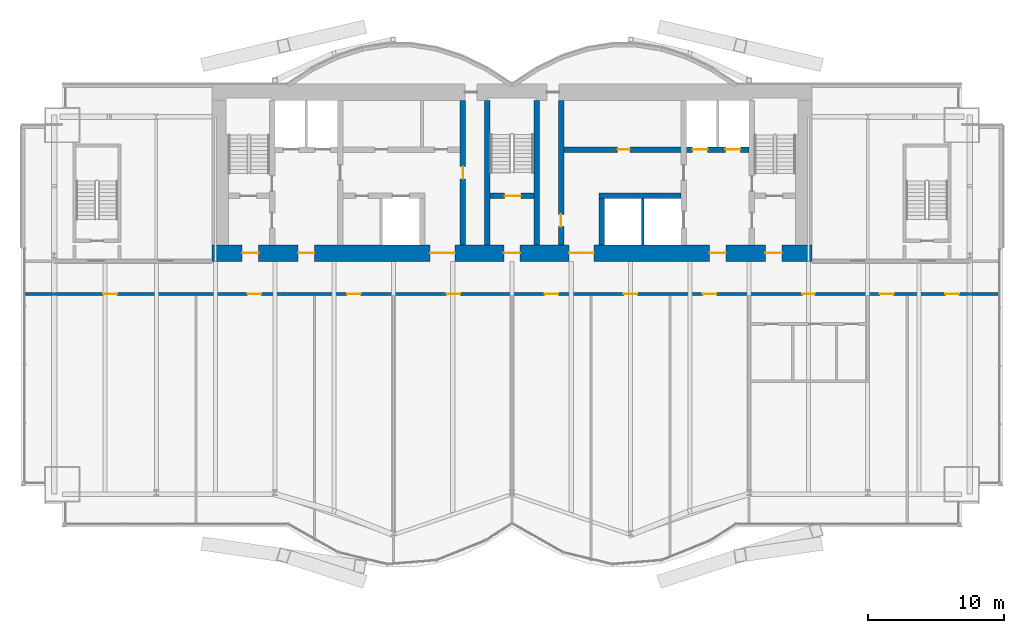
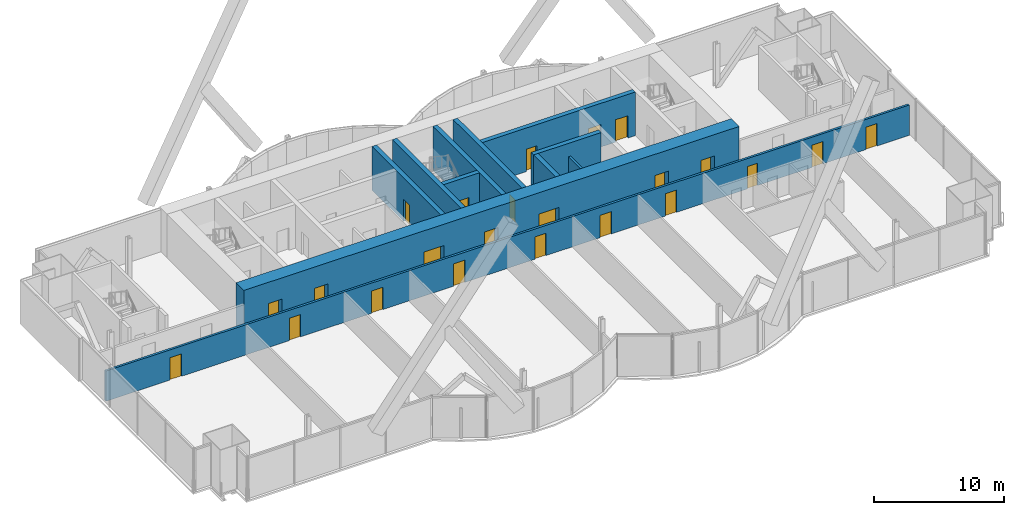
# One storey, part 17 of 22: 23 doors, 11 walls, 23 openings.
"""IFC4 building model written with IfcOpenShell, lengths in metres."""

from ifc_helpers import new_model, si_unit, direction, frame, frame_2d, origin, place, context, subcontext, project, spatial, rectangle, extrude, material, layer, layer_set, type_object, element, fill, save


model = new_model("IFC4")

# Units and contexts
model_context = context("Model", 3, precision=1e-05, world=origin(), true_north=direction((0.0, 1.0)))
body_context = subcontext(model_context, "Body", "Model", "MODEL_VIEW")
ifc_project = project(units=[si_unit("LENGTHUNIT", "METRE"), si_unit("AREAUNIT", "SQUARE_METRE"), si_unit("VOLUMEUNIT", "CUBIC_METRE"), si_unit("PLANEANGLEUNIT", "RADIAN"), si_unit("MASSUNIT", "GRAM", prefix="KILO")], contexts=[model_context])

# Site, building, storey
site_placement = place(None, origin())
site = spatial("IfcSite", under=ifc_project, at=site_placement, CompositionType="ELEMENT")
building_placement = place(site_placement, origin())
building = spatial("IfcBuilding", under=site, at=building_placement, Name="Bicima Exchange Tower", CompositionType="ELEMENT")
storey_placement = place(building_placement, frame((0.0, 0.0, 203.199951171875)))
storey = spatial("IfcBuildingStorey", under=building, at=storey_placement, Name="L45", CompositionType="ELEMENT", Elevation=203.199951171875)

# Wall
ifc_material_1 = material(Name="Gypsum board partition")
ifc_layer_1 = layer(ifc_material_1, 0.199951171875)
ifc_layer_set_1 = layer_set([ifc_layer_1], Name="Gypsum board partition")
wall_type_1 = type_object("IfcWallType", Name="Fire-rated gypsum partition 200 EI120", PredefinedType="PARTITIONING", material=ifc_layer_set_1)
wall_1_placement = place(storey_placement, frame((9.60009765625, -11.800048828125, 0.0), z_axis=(0.0, 0.0, 1.0), x_axis=(0.0, 1.0, 0.0)))
element("IfcWall", 1, at=wall_1_placement, inside=storey, type_object=wall_type_1, Name="partition wall 19", PredefinedType="PARTITIONING", context=body_context, shape_type="SweptSolid", body=[
    extrude(rectangle(XDim=3.400146484375, YDim=0.199951171875, at=frame_2d((1.7001953125, 0.0))), origin(), (0.0, 0.0, 1.0), 2.84033203125),
])

# Wall, openings, doors
ifc_layer_2 = layer(ifc_material_1, 0.199951171875)
ifc_layer_set_2 = layer_set([ifc_layer_2], Name="Gypsum board partition")
wall_type_2 = type_object("IfcWallType", Name="Fire-rated gypsum partition 200 EI60", PredefinedType="PARTITIONING", material=ifc_layer_set_2)
wall_2_placement = place(storey_placement, frame((-35.679931640625, -15.39990234375, 0.0), z_axis=(0.0, 0.0, 1.0), x_axis=(1.0, 0.0, 0.0)))
wall_2 = element("IfcWall", 2, at=wall_2_placement, inside=storey, type_object=wall_type_2, Name="partition wall 3", PredefinedType="PARTITIONING", context=body_context, shape_type="SweptSolid", body=[
    extrude(rectangle(XDim=71.35986328125, YDim=0.199951171875, at=frame_2d((35.679931640625, 0.0))), origin(), (0.0, 0.0, 1.0), 2.84033203125),
])
opening_1_placement = place(wall_2_placement, frame((5.699951171875, 0.0, 0.0)))
opening_1 = element("IfcOpeningElement", 3, at=opening_1_placement, cuts=wall_2, Name="Opening L45-007", PredefinedType="OPENING", context=body_context, shape_type="SweptSolid", body=[
    extrude(rectangle(XDim=1.0, YDim=2.10009765625, at=frame_2d((0.5, 1.050048828125))), frame((0.0, 0.11181640625, 0.0), z_axis=(0.0, -1.0, 0.0), x_axis=(1.0, 0.0, 0.0)), (0.0, 0.0, 1.0), 0.223876953125),
])
opening_2_placement = place(wall_2_placement, frame((16.280029296875, 0.0, 0.0)))
opening_2 = element("IfcOpeningElement", 4, at=opening_2_placement, cuts=wall_2, Name="Opening L45-008", PredefinedType="OPENING", context=body_context, shape_type="SweptSolid", body=[
    extrude(rectangle(XDim=1.0, YDim=2.10009765625, at=frame_2d((0.5, 1.050048828125))), frame((0.0, 0.11181640625, 0.0), z_axis=(0.0, -1.0, 0.0), x_axis=(1.0, 0.0, 0.0)), (0.0, 0.0, 1.0), 0.223876953125),
])
opening_3_placement = place(wall_2_placement, frame((23.580078125, 0.0, 0.0)))
opening_3 = element("IfcOpeningElement", 5, at=opening_3_placement, cuts=wall_2, Name="Opening L45-009", PredefinedType="OPENING", context=body_context, shape_type="SweptSolid", body=[
    extrude(rectangle(XDim=1.0, YDim=2.10009765625, at=frame_2d((0.5, 1.050048828125))), frame((0.0, 0.11181640625, 0.0), z_axis=(0.0, -1.0, 0.0), x_axis=(1.0, 0.0, 0.0)), (0.0, 0.0, 1.0), 0.223876953125),
])
opening_4_placement = place(wall_2_placement, frame((30.8798828125, 0.0, 0.0)))
opening_4 = element("IfcOpeningElement", 6, at=opening_4_placement, cuts=wall_2, Name="Opening L45-010", PredefinedType="OPENING", context=body_context, shape_type="SweptSolid", body=[
    extrude(rectangle(XDim=1.0, YDim=2.10009765625, at=frame_2d((0.5, 1.050048828125))), frame((0.0, 0.11181640625, 0.0), z_axis=(0.0, -1.0, 0.0), x_axis=(1.0, 0.0, 0.0)), (0.0, 0.0, 1.0), 0.223876953125),
])
opening_5_placement = place(wall_2_placement, frame((38.080078125, 0.0, 0.0)))
opening_5 = element("IfcOpeningElement", 7, at=opening_5_placement, cuts=wall_2, Name="Opening L45-011", PredefinedType="OPENING", context=body_context, shape_type="SweptSolid", body=[
    extrude(rectangle(XDim=1.0, YDim=2.10009765625, at=frame_2d((0.5, 1.050048828125))), frame((0.0, 0.11181640625, 0.0), z_axis=(0.0, -1.0, 0.0), x_axis=(1.0, 0.0, 0.0)), (0.0, 0.0, 1.0), 0.223876953125),
])
opening_6_placement = place(wall_2_placement, frame((43.8798828125, 0.0, 0.0)))
opening_6 = element("IfcOpeningElement", 8, at=opening_6_placement, cuts=wall_2, Name="Opening L45-012", PredefinedType="OPENING", context=body_context, shape_type="SweptSolid", body=[
    extrude(rectangle(XDim=1.0, YDim=2.10009765625, at=frame_2d((0.5, 1.050048828125))), frame((0.0, 0.11181640625, 0.0), z_axis=(0.0, -1.0, 0.0), x_axis=(1.0, 0.0, 0.0)), (0.0, 0.0, 1.0), 0.223876953125),
])
opening_7_placement = place(wall_2_placement, frame((49.679931640625, 0.0, 0.0)))
opening_7 = element("IfcOpeningElement", 9, at=opening_7_placement, cuts=wall_2, Name="Opening L45-013", PredefinedType="OPENING", context=body_context, shape_type="SweptSolid", body=[
    extrude(rectangle(XDim=1.0, YDim=2.10009765625, at=frame_2d((0.5, 1.050048828125))), frame((0.0, 0.11181640625, 0.0), z_axis=(0.0, -1.0, 0.0), x_axis=(1.0, 0.0, 0.0)), (0.0, 0.0, 1.0), 0.223876953125),
])
opening_8_placement = place(wall_2_placement, frame((56.97998046875, 0.0, 0.0)))
opening_8 = element("IfcOpeningElement", 10, at=opening_8_placement, cuts=wall_2, Name="Opening L45-014", PredefinedType="OPENING", context=body_context, shape_type="SweptSolid", body=[
    extrude(rectangle(XDim=0.89990234375, YDim=2.10009765625, at=frame_2d((0.449951171875, 1.050048828125))), frame((0.0, 0.11181640625, 0.0), z_axis=(0.0, -1.0, 0.0), x_axis=(1.0, 0.0, 0.0)), (0.0, 0.0, 1.0), 0.223876953125),
])
opening_9_placement = place(wall_2_placement, frame((62.679931640625, 0.0, 0.0)))
opening_9 = element("IfcOpeningElement", 11, at=opening_9_placement, cuts=wall_2, Name="Opening L45-018", PredefinedType="OPENING", context=body_context, shape_type="SweptSolid", body=[
    extrude(rectangle(XDim=1.0, YDim=2.10009765625, at=frame_2d((0.5, 1.050048828125))), frame((0.0, 0.11181640625, 0.0), z_axis=(0.0, -1.0, 0.0), x_axis=(1.0, 0.0, 0.0)), (0.0, 0.0, 1.0), 0.223876953125),
])
opening_10_placement = place(wall_2_placement, frame((67.47998046875, 0.0, 0.0)))
opening_10 = element("IfcOpeningElement", 12, at=opening_10_placement, cuts=wall_2, Name="Opening L45-019", PredefinedType="OPENING", context=body_context, shape_type="SweptSolid", body=[
    extrude(rectangle(XDim=1.0, YDim=2.10009765625, at=frame_2d((0.5, 1.050048828125))), frame((0.0, 0.11181640625, 0.0), z_axis=(0.0, -1.0, 0.0), x_axis=(1.0, 0.0, 0.0)), (0.0, 0.0, 1.0), 0.223876953125),
])
ifc_material_2 = material(Name="Steel fire door leaf", Category="steel")
door_type_1 = type_object("IfcDoorType", Name="Door 1000 swing FD30S", OperationType="SINGLE_SWING_LEFT", PredefinedType="DOOR", material=ifc_material_2)
door_1_placement = place(opening_1_placement, frame((1.0, 0.0, 0.0), z_axis=(0.0, 0.0, 1.0), x_axis=(-1.0, 0.0, 0.0)))
door_1 = element("IfcDoor", 13, at=door_1_placement, inside=storey, type_object=door_type_1, Name="Door", OperationType="SINGLE_SWING_LEFT", OverallHeight=2.10009765625, OverallWidth=1.0, PredefinedType="DOOR", context=body_context, shape_type="SweptSolid", body=[
    extrude(rectangle(XDim=1.0, YDim=2.10009765625, at=frame_2d((0.5, 1.050048828125))), frame((0.0, 0.02490234375, 0.0), z_axis=(0.0, -1.0, 0.0), x_axis=(1.0, 0.0, 0.0)), (0.0, 0.0, 1.0), 0.050048828125),
])
fill(opening_1, door_1)
door_2_placement = place(opening_2_placement, frame((1.0, 0.0, 0.0), z_axis=(0.0, 0.0, 1.0), x_axis=(-1.0, 0.0, 0.0)))
door_2 = element("IfcDoor", 14, at=door_2_placement, inside=storey, type_object=door_type_1, Name="Door", OperationType="SINGLE_SWING_RIGHT", OverallHeight=2.10009765625, OverallWidth=1.0, PredefinedType="DOOR", context=body_context, shape_type="SweptSolid", body=[
    extrude(rectangle(XDim=1.0, YDim=2.10009765625, at=frame_2d((0.5, 1.050048828125))), frame((0.0, 0.02490234375, 0.0), z_axis=(0.0, -1.0, 0.0), x_axis=(1.0, 0.0, 0.0)), (0.0, 0.0, 1.0), 0.050048828125),
])
fill(opening_2, door_2)
door_3_placement = place(opening_3_placement, frame((1.0, 0.0, 0.0), z_axis=(0.0, 0.0, 1.0), x_axis=(-1.0, 0.0, 0.0)))
door_3 = element("IfcDoor", 15, at=door_3_placement, inside=storey, type_object=door_type_1, Name="Door", OperationType="SINGLE_SWING_RIGHT", OverallHeight=2.10009765625, OverallWidth=1.0, PredefinedType="DOOR", context=body_context, shape_type="SweptSolid", body=[
    extrude(rectangle(XDim=1.0, YDim=2.10009765625, at=frame_2d((0.5, 1.050048828125))), frame((0.0, 0.02490234375, 0.0), z_axis=(0.0, -1.0, 0.0), x_axis=(1.0, 0.0, 0.0)), (0.0, 0.0, 1.0), 0.050048828125),
])
fill(opening_3, door_3)
door_4_placement = place(opening_4_placement, frame((1.0, 0.0, 0.0), z_axis=(0.0, 0.0, 1.0), x_axis=(-1.0, 0.0, 0.0)))
door_4 = element("IfcDoor", 16, at=door_4_placement, inside=storey, type_object=door_type_1, Name="Door", OperationType="SINGLE_SWING_LEFT", OverallHeight=2.10009765625, OverallWidth=1.0, PredefinedType="DOOR", context=body_context, shape_type="SweptSolid", body=[
    extrude(rectangle(XDim=1.0, YDim=2.10009765625, at=frame_2d((0.5, 1.050048828125))), frame((0.0, 0.02490234375, 0.0), z_axis=(0.0, -1.0, 0.0), x_axis=(1.0, 0.0, 0.0)), (0.0, 0.0, 1.0), 0.050048828125),
])
fill(opening_4, door_4)
door_5_placement = place(opening_5_placement, frame((1.0, 0.0, 0.0), z_axis=(0.0, 0.0, 1.0), x_axis=(-1.0, 0.0, 0.0)))
door_5 = element("IfcDoor", 17, at=door_5_placement, inside=storey, type_object=door_type_1, Name="Door", OperationType="SINGLE_SWING_RIGHT", OverallHeight=2.10009765625, OverallWidth=1.0, PredefinedType="DOOR", context=body_context, shape_type="SweptSolid", body=[
    extrude(rectangle(XDim=1.0, YDim=2.10009765625, at=frame_2d((0.5, 1.050048828125))), frame((0.0, 0.02490234375, 0.0), z_axis=(0.0, -1.0, 0.0), x_axis=(1.0, 0.0, 0.0)), (0.0, 0.0, 1.0), 0.050048828125),
])
fill(opening_5, door_5)
door_6_placement = place(opening_6_placement, frame((1.0, 0.0, 0.0), z_axis=(0.0, 0.0, 1.0), x_axis=(-1.0, 0.0, 0.0)))
door_6 = element("IfcDoor", 18, at=door_6_placement, inside=storey, type_object=door_type_1, Name="Door", OperationType="SINGLE_SWING_RIGHT", OverallHeight=2.10009765625, OverallWidth=1.0, PredefinedType="DOOR", context=body_context, shape_type="SweptSolid", body=[
    extrude(rectangle(XDim=1.0, YDim=2.10009765625, at=frame_2d((0.5, 1.050048828125))), frame((0.0, 0.02490234375, 0.0), z_axis=(0.0, -1.0, 0.0), x_axis=(1.0, 0.0, 0.0)), (0.0, 0.0, 1.0), 0.050048828125),
])
fill(opening_6, door_6)
door_7_placement = place(opening_7_placement, frame((1.0, 0.0, 0.0), z_axis=(0.0, 0.0, 1.0), x_axis=(-1.0, 0.0, 0.0)))
door_7 = element("IfcDoor", 19, at=door_7_placement, inside=storey, type_object=door_type_1, Name="Door", OperationType="SINGLE_SWING_LEFT", OverallHeight=2.10009765625, OverallWidth=1.0, PredefinedType="DOOR", context=body_context, shape_type="SweptSolid", body=[
    extrude(rectangle(XDim=1.0, YDim=2.10009765625, at=frame_2d((0.5, 1.050048828125))), frame((0.0, 0.02490234375, 0.0), z_axis=(0.0, -1.0, 0.0), x_axis=(1.0, 0.0, 0.0)), (0.0, 0.0, 1.0), 0.050048828125),
])
fill(opening_7, door_7)
door_8_placement = place(opening_9_placement, frame((1.0, 0.0, 0.0), z_axis=(0.0, 0.0, 1.0), x_axis=(-1.0, 0.0, 0.0)))
door_8 = element("IfcDoor", 20, at=door_8_placement, inside=storey, type_object=door_type_1, Name="Door", OperationType="SINGLE_SWING_RIGHT", OverallHeight=2.10009765625, OverallWidth=1.0, PredefinedType="DOOR", context=body_context, shape_type="SweptSolid", body=[
    extrude(rectangle(XDim=1.0, YDim=2.10009765625, at=frame_2d((0.5, 1.050048828125))), frame((0.0, 0.02490234375, 0.0), z_axis=(0.0, -1.0, 0.0), x_axis=(1.0, 0.0, 0.0)), (0.0, 0.0, 1.0), 0.050048828125),
])
fill(opening_9, door_8)
door_9_placement = place(opening_10_placement, frame((1.0, 0.0, 0.0), z_axis=(0.0, 0.0, 1.0), x_axis=(-1.0, 0.0, 0.0)))
door_9 = element("IfcDoor", 21, at=door_9_placement, inside=storey, type_object=door_type_1, Name="Door", OperationType="SINGLE_SWING_LEFT", OverallHeight=2.10009765625, OverallWidth=1.0, PredefinedType="DOOR", context=body_context, shape_type="SweptSolid", body=[
    extrude(rectangle(XDim=1.0, YDim=2.10009765625, at=frame_2d((0.5, 1.050048828125))), frame((0.0, 0.02490234375, 0.0), z_axis=(0.0, -1.0, 0.0), x_axis=(1.0, 0.0, 0.0)), (0.0, 0.0, 1.0), 0.050048828125),
])
fill(opening_10, door_9)
door_type_2 = type_object("IfcDoorType", Name="Door 900 swing FD30S", OperationType="SINGLE_SWING_LEFT", PredefinedType="DOOR", material=ifc_material_2)
door_10_placement = place(opening_8_placement, frame((0.89990234375, 0.0, 0.0), z_axis=(0.0, 0.0, 1.0), x_axis=(-1.0, 0.0, 0.0)))
door_10 = element("IfcDoor", 22, at=door_10_placement, inside=storey, type_object=door_type_2, Name="Door", OperationType="SINGLE_SWING_RIGHT", OverallHeight=2.10009765625, OverallWidth=0.89990234375, PredefinedType="DOOR", context=body_context, shape_type="SweptSolid", body=[
    extrude(rectangle(XDim=0.89990234375, YDim=2.10009765625, at=frame_2d((0.449951171875, 1.050048828125))), frame((0.0, 0.02490234375, 0.0), z_axis=(0.0, -1.0, 0.0), x_axis=(1.0, 0.0, 0.0)), (0.0, 0.0, 1.0), 0.050048828125),
])
fill(opening_8, door_10)

ifc_material_3 = material(Name="Concrete C50/60", Category="concrete")
ifc_layer_3 = layer(ifc_material_3, 1.199951171875)
ifc_layer_set_3 = layer_set([ifc_layer_3], Name="Concrete C50/60")
wall_type_3 = type_object("IfcWallType", Name="RC core wall 1200 C50/60", PredefinedType="SHEAR", material=ifc_layer_set_3)
wall_3_placement = place(storey_placement, frame((-22.0, -12.39990234375, 0.0), z_axis=(0.0, 0.0, 1.0), x_axis=(1.0, 0.0, 0.0)))
wall_3 = element("IfcWall", 23, at=wall_3_placement, inside=storey, type_object=wall_type_3, Name="Core wall south", PredefinedType="SHEAR", context=body_context, shape_type="SweptSolid", body=[
    extrude(rectangle(XDim=44.0, YDim=1.199951171875, at=frame_2d((22.0, 0.0))), origin(), (0.0, 0.0, 1.0), 4.10009765625),
])
opening_11_placement = place(wall_3_placement, frame((2.199951171875, 0.0, 0.0)))
opening_11 = element("IfcOpeningElement", 24, at=opening_11_placement, cuts=wall_3, Name="Opening L45-C18", PredefinedType="OPENING", context=body_context, shape_type="SweptSolid", body=[
    extrude(rectangle(XDim=1.199951171875, YDim=2.10009765625, at=frame_2d((0.60009765625, 1.050048828125))), frame((0.0, 0.61181640625, 0.0), z_axis=(0.0, -1.0, 0.0), x_axis=(1.0, 0.0, 0.0)), (0.0, 0.0, 1.0), 1.223876953125),
])
opening_12_placement = place(wall_3_placement, frame((21.39990234375, 0.0, 0.0)))
opening_12 = element("IfcOpeningElement", 25, at=opening_12_placement, cuts=wall_3, Name="Opening L45-C19", PredefinedType="OPENING", context=body_context, shape_type="SweptSolid", body=[
    extrude(rectangle(XDim=1.199951171875, YDim=2.10009765625, at=frame_2d((0.60009765625, 1.050048828125))), frame((0.0, 0.61181640625, 0.0), z_axis=(0.0, -1.0, 0.0), x_axis=(1.0, 0.0, 0.0)), (0.0, 0.0, 1.0), 1.223876953125),
])
opening_13_placement = place(wall_3_placement, frame((40.60009765625, 0.0, 0.0)))
opening_13 = element("IfcOpeningElement", 26, at=opening_13_placement, cuts=wall_3, Name="Opening L45-C20", PredefinedType="OPENING", context=body_context, shape_type="SweptSolid", body=[
    extrude(rectangle(XDim=1.199951171875, YDim=2.10009765625, at=frame_2d((0.60009765625, 1.050048828125))), frame((0.0, 0.61181640625, 0.0), z_axis=(0.0, -1.0, 0.0), x_axis=(1.0, 0.0, 0.0)), (0.0, 0.0, 1.0), 1.223876953125),
])
opening_14_placement = place(wall_3_placement, frame((16.0, 0.0, 0.0)))
opening_14 = element("IfcOpeningElement", 27, at=opening_14_placement, cuts=wall_3, Name="Opening L45-C21", PredefinedType="OPENING", context=body_context, shape_type="SweptSolid", body=[
    extrude(rectangle(XDim=1.800048828125, YDim=2.10009765625, at=frame_2d((0.89990234375, 1.050048828125))), frame((0.0, 0.61181640625, 0.0), z_axis=(0.0, -1.0, 0.0), x_axis=(1.0, 0.0, 0.0)), (0.0, 0.0, 1.0), 1.223876953125),
])
opening_15_placement = place(wall_3_placement, frame((6.300048828125, 0.0, 0.0)))
opening_15 = element("IfcOpeningElement", 28, at=opening_15_placement, cuts=wall_3, Name="Opening L45-C22", PredefinedType="OPENING", context=body_context, shape_type="SweptSolid", body=[
    extrude(rectangle(XDim=1.199951171875, YDim=2.10009765625, at=frame_2d((0.60009765625, 1.050048828125))), frame((0.0, 0.61181640625, 0.0), z_axis=(0.0, -1.0, 0.0), x_axis=(1.0, 0.0, 0.0)), (0.0, 0.0, 1.0), 1.223876953125),
])
opening_16_placement = place(wall_3_placement, frame((26.199951171875, 0.0, 0.0)))
opening_16 = element("IfcOpeningElement", 29, at=opening_16_placement, cuts=wall_3, Name="Opening L45-C23", PredefinedType="OPENING", context=body_context, shape_type="SweptSolid", body=[
    extrude(rectangle(XDim=1.800048828125, YDim=2.10009765625, at=frame_2d((0.89990234375, 1.050048828125))), frame((0.0, 0.61181640625, 0.0), z_axis=(0.0, -1.0, 0.0), x_axis=(1.0, 0.0, 0.0)), (0.0, 0.0, 1.0), 1.223876953125),
])
opening_17_placement = place(wall_3_placement, frame((36.5, 0.0, 0.0)))
opening_17 = element("IfcOpeningElement", 30, at=opening_17_placement, cuts=wall_3, Name="Opening L45-C24", PredefinedType="OPENING", context=body_context, shape_type="SweptSolid", body=[
    extrude(rectangle(XDim=1.199951171875, YDim=2.10009765625, at=frame_2d((0.60009765625, 1.050048828125))), frame((0.0, 0.61181640625, 0.0), z_axis=(0.0, -1.0, 0.0), x_axis=(1.0, 0.0, 0.0)), (0.0, 0.0, 1.0), 1.223876953125),
])
door_type_3 = type_object("IfcDoorType", Name="Door 1200 swing FD60S", OperationType="SINGLE_SWING_LEFT", PredefinedType="DOOR", material=ifc_material_2)
door_11_placement = place(opening_11_placement, frame((1.199951171875, 0.0, 0.0), z_axis=(0.0, 0.0, 1.0), x_axis=(-1.0, 0.0, 0.0)))
door_11 = element("IfcDoor", 31, at=door_11_placement, inside=storey, type_object=door_type_3, Name="Core door", OperationType="SINGLE_SWING_RIGHT", OverallHeight=2.10009765625, OverallWidth=1.199951171875, PredefinedType="DOOR", context=body_context, shape_type="SweptSolid", body=[
    extrude(rectangle(XDim=1.199951171875, YDim=2.10009765625, at=frame_2d((0.60009765625, 1.050048828125))), frame((0.0, 0.02490234375, 0.0), z_axis=(0.0, -1.0, 0.0), x_axis=(1.0, 0.0, 0.0)), (0.0, 0.0, 1.0), 0.050048828125),
])
fill(opening_11, door_11)
door_12_placement = place(opening_12_placement, frame((1.199951171875, 0.0, 0.0), z_axis=(0.0, 0.0, 1.0), x_axis=(-1.0, 0.0, 0.0)))
door_12 = element("IfcDoor", 32, at=door_12_placement, inside=storey, type_object=door_type_3, Name="Core door", OperationType="SINGLE_SWING_RIGHT", OverallHeight=2.10009765625, OverallWidth=1.199951171875, PredefinedType="DOOR", context=body_context, shape_type="SweptSolid", body=[
    extrude(rectangle(XDim=1.199951171875, YDim=2.10009765625, at=frame_2d((0.60009765625, 1.050048828125))), frame((0.0, 0.02490234375, 0.0), z_axis=(0.0, -1.0, 0.0), x_axis=(1.0, 0.0, 0.0)), (0.0, 0.0, 1.0), 0.050048828125),
])
fill(opening_12, door_12)
door_13_placement = place(opening_13_placement, frame((1.199951171875, 0.0, 0.0), z_axis=(0.0, 0.0, 1.0), x_axis=(-1.0, 0.0, 0.0)))
door_13 = element("IfcDoor", 33, at=door_13_placement, inside=storey, type_object=door_type_3, Name="Core door", OperationType="SINGLE_SWING_RIGHT", OverallHeight=2.10009765625, OverallWidth=1.199951171875, PredefinedType="DOOR", context=body_context, shape_type="SweptSolid", body=[
    extrude(rectangle(XDim=1.199951171875, YDim=2.10009765625, at=frame_2d((0.60009765625, 1.050048828125))), frame((0.0, 0.02490234375, 0.0), z_axis=(0.0, -1.0, 0.0), x_axis=(1.0, 0.0, 0.0)), (0.0, 0.0, 1.0), 0.050048828125),
])
fill(opening_13, door_13)
door_14_placement = place(opening_15_placement, frame((1.199951171875, 0.0, 0.0), z_axis=(0.0, 0.0, 1.0), x_axis=(-1.0, 0.0, 0.0)))
door_14 = element("IfcDoor", 34, at=door_14_placement, inside=storey, type_object=door_type_3, Name="Core door", OperationType="SINGLE_SWING_RIGHT", OverallHeight=2.10009765625, OverallWidth=1.199951171875, PredefinedType="DOOR", context=body_context, shape_type="SweptSolid", body=[
    extrude(rectangle(XDim=1.199951171875, YDim=2.10009765625, at=frame_2d((0.60009765625, 1.050048828125))), frame((0.0, 0.02490234375, 0.0), z_axis=(0.0, -1.0, 0.0), x_axis=(1.0, 0.0, 0.0)), (0.0, 0.0, 1.0), 0.050048828125),
])
fill(opening_15, door_14)
door_15_placement = place(opening_17_placement, frame((1.199951171875, 0.0, 0.0), z_axis=(0.0, 0.0, 1.0), x_axis=(-1.0, 0.0, 0.0)))
door_15 = element("IfcDoor", 35, at=door_15_placement, inside=storey, type_object=door_type_3, Name="Core door", OperationType="SINGLE_SWING_RIGHT", OverallHeight=2.10009765625, OverallWidth=1.199951171875, PredefinedType="DOOR", context=body_context, shape_type="SweptSolid", body=[
    extrude(rectangle(XDim=1.199951171875, YDim=2.10009765625, at=frame_2d((0.60009765625, 1.050048828125))), frame((0.0, 0.02490234375, 0.0), z_axis=(0.0, -1.0, 0.0), x_axis=(1.0, 0.0, 0.0)), (0.0, 0.0, 1.0), 0.050048828125),
])
fill(opening_17, door_15)
door_type_4 = type_object("IfcDoorType", Name="Door 1800 double swing FD30S", OperationType="DOUBLE_DOOR_SINGLE_SWING", PredefinedType="DOOR", material=ifc_material_2)
door_16_placement = place(opening_14_placement, origin())
door_16 = element("IfcDoor", 36, at=door_16_placement, inside=storey, type_object=door_type_4, Name="Core door", OperationType="SINGLE_SWING_LEFT", OverallHeight=2.10009765625, OverallWidth=1.800048828125, PredefinedType="DOOR", context=body_context, shape_type="SweptSolid", body=[
    extrude(rectangle(XDim=1.800048828125, YDim=2.10009765625, at=frame_2d((0.89990234375, 1.050048828125))), frame((0.0, 0.02490234375, 0.0), z_axis=(0.0, -1.0, 0.0), x_axis=(1.0, 0.0, 0.0)), (0.0, 0.0, 1.0), 0.050048828125),
])
fill(opening_14, door_16)
door_17_placement = place(opening_16_placement, origin())
door_17 = element("IfcDoor", 37, at=door_17_placement, inside=storey, type_object=door_type_4, Name="Core door", OperationType="SINGLE_SWING_LEFT", OverallHeight=2.10009765625, OverallWidth=1.800048828125, PredefinedType="DOOR", context=body_context, shape_type="SweptSolid", body=[
    extrude(rectangle(XDim=1.800048828125, YDim=2.10009765625, at=frame_2d((0.89990234375, 1.050048828125))), frame((0.0, 0.02490234375, 0.0), z_axis=(0.0, -1.0, 0.0), x_axis=(1.0, 0.0, 0.0)), (0.0, 0.0, 1.0), 0.050048828125),
])
fill(opening_16, door_17)

# Wall, opening, door
ifc_layer_4 = layer(ifc_material_3, 0.39990234375)
ifc_layer_set_4 = layer_set([ifc_layer_4], Name="Concrete C50/60")
wall_type_4 = type_object("IfcWallType", Name="RC core wall 400 C50/60", PredefinedType="SHEAR", material=ifc_layer_set_4)
wall_4_placement = place(storey_placement, frame((-1.60009765625, -8.199951171875, 0.0), z_axis=(0.0, 0.0, 1.0), x_axis=(1.0, 0.0, 0.0)))
wall_4 = element("IfcWall", 38, at=wall_4_placement, inside=storey, type_object=wall_type_4, Name="stair wall 3", PredefinedType="SHEAR", context=body_context, shape_type="SweptSolid", body=[
    extrude(rectangle(XDim=3.2001953125, YDim=0.39990234375, at=frame_2d((1.60009765625, 0.0))), origin(), (0.0, 0.0, 1.0), 4.10009765625),
])
opening_18_placement = place(wall_4_placement, frame((1.050048828125, 0.0, 0.0)))
opening_18 = element("IfcOpeningElement", 39, at=opening_18_placement, cuts=wall_4, Name="Opening L45-C03", PredefinedType="OPENING", context=body_context, shape_type="SweptSolid", body=[
    extrude(rectangle(XDim=1.199951171875, YDim=2.10009765625, at=frame_2d((0.60009765625, 1.050048828125))), frame((0.0, 0.2119140625, 0.0), z_axis=(0.0, -1.0, 0.0), x_axis=(1.0, 0.0, 0.0)), (0.0, 0.0, 1.0), 0.423828125),
])
door_18_placement = place(opening_18_placement, origin())
door_18 = element("IfcDoor", 40, at=door_18_placement, inside=storey, type_object=door_type_3, Name="Core door", OperationType="SINGLE_SWING_LEFT", OverallHeight=2.10009765625, OverallWidth=1.199951171875, PredefinedType="DOOR", context=body_context, shape_type="SweptSolid", body=[
    extrude(rectangle(XDim=1.199951171875, YDim=2.10009765625, at=frame_2d((0.60009765625, 1.050048828125))), frame((0.0, 0.02490234375, 0.0), z_axis=(0.0, -1.0, 0.0), x_axis=(1.0, 0.0, 0.0)), (0.0, 0.0, 1.0), 0.050048828125),
])
fill(opening_18, door_18)

# Wall
wall_5_placement = place(storey_placement, frame((6.39990234375, -8.199951171875, 0.0), z_axis=(0.0, 0.0, 1.0), x_axis=(1.0, 0.0, 0.0)))
element("IfcWall", 41, at=wall_5_placement, inside=storey, type_object=wall_type_4, Name="shear wall 4", PredefinedType="SHEAR", context=body_context, shape_type="SweptSolid", body=[
    extrude(rectangle(XDim=6.0, YDim=0.39990234375, at=frame_2d((3.0, 0.0))), origin(), (0.0, 0.0, 1.0), 4.10009765625),
])

# Wall, openings, doors
wall_6_placement = place(storey_placement, frame((3.800048828125, -4.800048828125, 0.0), z_axis=(0.0, 0.0, 1.0), x_axis=(1.0, 0.0, 0.0)))
wall_6 = element("IfcWall", 42, at=wall_6_placement, inside=storey, type_object=wall_type_4, Name="shear wall 7", PredefinedType="SHEAR", context=body_context, shape_type="SweptSolid", body=[
    extrude(rectangle(XDim=13.599853515625, YDim=0.39990234375, at=frame_2d((6.7998046875, 0.0))), origin(), (0.0, 0.0, 1.0), 4.10009765625),
])
opening_19_placement = place(wall_6_placement, frame((9.449951171875, 0.0, 0.0)))
opening_19 = element("IfcOpeningElement", 43, at=opening_19_placement, cuts=wall_6, Name="Opening LD-FF2-L45", PredefinedType="OPENING", context=body_context, shape_type="SweptSolid", body=[
    extrude(rectangle(XDim=1.10009765625, YDim=2.10009765625, at=frame_2d((0.550048828125, 1.050048828125))), frame((0.0, 0.2119140625, 0.0), z_axis=(0.0, -1.0, 0.0), x_axis=(1.0, 0.0, 0.0)), (0.0, 0.0, 1.0), 0.423828125),
])
opening_20_placement = place(wall_6_placement, frame((11.85009765625, 0.0, 0.0)))
opening_20 = element("IfcOpeningElement", 44, at=opening_20_placement, cuts=wall_6, Name="Opening LD-SV1-L45", PredefinedType="OPENING", context=body_context, shape_type="SweptSolid", body=[
    extrude(rectangle(XDim=1.10009765625, YDim=2.10009765625, at=frame_2d((0.550048828125, 1.050048828125))), frame((0.0, 0.2119140625, 0.0), z_axis=(0.0, -1.0, 0.0), x_axis=(1.0, 0.0, 0.0)), (0.0, 0.0, 1.0), 0.423828125),
])
opening_21_placement = place(wall_6_placement, frame((3.949951171875, 0.0, 0.0)))
opening_21 = element("IfcOpeningElement", 45, at=opening_21_placement, cuts=wall_6, Name="Opening L45-C14", PredefinedType="OPENING", context=body_context, shape_type="SweptSolid", body=[
    extrude(rectangle(XDim=0.89990234375, YDim=2.10009765625, at=frame_2d((0.449951171875, 1.050048828125))), frame((0.0, 0.2119140625, 0.0), z_axis=(0.0, -1.0, 0.0), x_axis=(1.0, 0.0, 0.0)), (0.0, 0.0, 1.0), 0.423828125),
])
door_19_placement = place(opening_21_placement, origin())
door_19 = element("IfcDoor", 46, at=door_19_placement, inside=storey, type_object=door_type_2, Name="Core door", OperationType="SINGLE_SWING_RIGHT", OverallHeight=2.10009765625, OverallWidth=0.89990234375, PredefinedType="DOOR", context=body_context, shape_type="SweptSolid", body=[
    extrude(rectangle(XDim=0.89990234375, YDim=2.10009765625, at=frame_2d((0.449951171875, 1.050048828125))), frame((0.0, 0.02490234375, 0.0), z_axis=(0.0, -1.0, 0.0), x_axis=(1.0, 0.0, 0.0)), (0.0, 0.0, 1.0), 0.050048828125),
])
fill(opening_21, door_19)
ifc_material_4 = material(Name="Stainless steel", Category="steel")
door_type_5 = type_object("IfcDoorType", Name="Lift landing door 1100 sliding", OperationType="DOUBLE_DOOR_SLIDING", PredefinedType="DOOR", material=ifc_material_4)
door_20_placement = place(opening_19_placement, origin())
door_20 = element("IfcDoor", 47, at=door_20_placement, inside=storey, type_object=door_type_5, Name="Lift landing door FF2", OperationType="DOUBLE_DOOR_SLIDING", OverallHeight=2.10009765625, OverallWidth=1.10009765625, PredefinedType="DOOR", context=body_context, shape_type="SweptSolid", body=[
    extrude(rectangle(XDim=1.10009765625, YDim=2.10009765625, at=frame_2d((0.550048828125, 1.050048828125))), frame((0.0, 0.02490234375, 0.0), z_axis=(0.0, -1.0, 0.0), x_axis=(1.0, 0.0, 0.0)), (0.0, 0.0, 1.0), 0.050048828125),
])
fill(opening_19, door_20)
door_21_placement = place(opening_20_placement, origin())
door_21 = element("IfcDoor", 48, at=door_21_placement, inside=storey, type_object=door_type_5, Name="Lift landing door SV1", OperationType="DOUBLE_DOOR_SLIDING", OverallHeight=2.10009765625, OverallWidth=1.10009765625, PredefinedType="DOOR", context=body_context, shape_type="SweptSolid", body=[
    extrude(rectangle(XDim=1.10009765625, YDim=2.10009765625, at=frame_2d((0.550048828125, 1.050048828125))), frame((0.0, 0.02490234375, 0.0), z_axis=(0.0, -1.0, 0.0), x_axis=(1.0, 0.0, 0.0)), (0.0, 0.0, 1.0), 0.050048828125),
])
fill(opening_20, door_21)

# Wall, opening, door
wall_7_placement = place(storey_placement, frame((-3.60009765625, -11.800048828125, 0.0), z_axis=(0.0, 0.0, 1.0), x_axis=(0.0, 1.0, 0.0)))
wall_7 = element("IfcWall", 49, at=wall_7_placement, inside=storey, type_object=wall_type_4, Name="shear wall 14", PredefinedType="SHEAR", context=body_context, shape_type="SweptSolid", body=[
    extrude(rectangle(XDim=10.60009765625, YDim=0.39990234375, at=frame_2d((5.300048828125, 0.0))), origin(), (0.0, 0.0, 1.0), 4.10009765625),
])
opening_22_placement = place(wall_7_placement, frame((4.85009765625, 0.0, 0.0)))
opening_22 = element("IfcOpeningElement", 50, at=opening_22_placement, cuts=wall_7, Name="Opening L45-C10", PredefinedType="OPENING", context=body_context, shape_type="SweptSolid", body=[
    extrude(rectangle(XDim=0.89990234375, YDim=2.10009765625, at=frame_2d((0.449951171875, 1.050048828125))), frame((0.0, 0.2119140625, 0.0), z_axis=(0.0, -1.0, 0.0), x_axis=(1.0, 0.0, 0.0)), (0.0, 0.0, 1.0), 0.423828125),
])
door_22_placement = place(opening_22_placement, frame((0.89990234375, 0.0, 0.0), z_axis=(0.0, 0.0, 1.0), x_axis=(-1.0, 0.0, 0.0)))
door_22 = element("IfcDoor", 51, at=door_22_placement, inside=storey, type_object=door_type_2, Name="Core door", OperationType="SINGLE_SWING_LEFT", OverallHeight=2.10009765625, OverallWidth=0.89990234375, PredefinedType="DOOR", context=body_context, shape_type="SweptSolid", body=[
    extrude(rectangle(XDim=0.89990234375, YDim=2.10009765625, at=frame_2d((0.449951171875, 1.050048828125))), frame((0.0, 0.02490234375, 0.0), z_axis=(0.0, -1.0, 0.0), x_axis=(1.0, 0.0, 0.0)), (0.0, 0.0, 1.0), 0.050048828125),
])
fill(opening_22, door_22)

# Walls
for number, where, z_axis, x_axis, name in (
    (52, (-1.800048828125, -11.800048828125, 0.0), (0.0, 0.0, 1.0), (0.0, 1.0, 0.0), "stair wall 15"),
    (53, (1.800048828125, -11.800048828125, 0.0), (0.0, 0.0, 1.0), (0.0, 1.0, 0.0), "stair wall 16"),
):
    element("IfcWall", number, at=place(storey_placement, frame(where, z_axis=z_axis, x_axis=x_axis)), inside=storey, type_object=wall_type_4, Name=name, PredefinedType="SHEAR", context=body_context, shape_type="SweptSolid", body=[
        extrude(rectangle(XDim=10.60009765625, YDim=0.39990234375, at=frame_2d((5.300048828125, 0.0))), origin(), (0.0, 0.0, 1.0), 4.10009765625),
    ])

# Wall, opening, door
wall_8_placement = place(storey_placement, frame((3.60009765625, -11.800048828125, 0.0), z_axis=(0.0, 0.0, 1.0), x_axis=(0.0, 1.0, 0.0)))
wall_8 = element("IfcWall", 54, at=wall_8_placement, inside=storey, type_object=wall_type_4, Name="shear wall 17", PredefinedType="SHEAR", context=body_context, shape_type="SweptSolid", body=[
    extrude(rectangle(XDim=10.60009765625, YDim=0.39990234375, at=frame_2d((5.300048828125, 0.0))), origin(), (0.0, 0.0, 1.0), 4.10009765625),
])
opening_23_placement = place(wall_8_placement, frame((1.35009765625, 0.0, 0.0)))
opening_23 = element("IfcOpeningElement", 55, at=opening_23_placement, cuts=wall_8, Name="Opening L45-C11", PredefinedType="OPENING", context=body_context, shape_type="SweptSolid", body=[
    extrude(rectangle(XDim=0.89990234375, YDim=2.10009765625, at=frame_2d((0.449951171875, 1.050048828125))), frame((0.0, 0.2119140625, 0.0), z_axis=(0.0, -1.0, 0.0), x_axis=(1.0, 0.0, 0.0)), (0.0, 0.0, 1.0), 0.423828125),
])
door_23_placement = place(opening_23_placement, origin())
door_23 = element("IfcDoor", 56, at=door_23_placement, inside=storey, type_object=door_type_2, Name="Core door", OperationType="SINGLE_SWING_LEFT", OverallHeight=2.10009765625, OverallWidth=0.89990234375, PredefinedType="DOOR", context=body_context, shape_type="SweptSolid", body=[
    extrude(rectangle(XDim=0.89990234375, YDim=2.10009765625, at=frame_2d((0.449951171875, 1.050048828125))), frame((0.0, 0.02490234375, 0.0), z_axis=(0.0, -1.0, 0.0), x_axis=(1.0, 0.0, 0.0)), (0.0, 0.0, 1.0), 0.050048828125),
])
fill(opening_23, door_23)

# Wall
wall_9_placement = place(storey_placement, frame((6.60009765625, -11.800048828125, 0.0), z_axis=(0.0, 0.0, 1.0), x_axis=(0.0, 1.0, 0.0)))
element("IfcWall", 57, at=wall_9_placement, inside=storey, type_object=wall_type_4, Name="shear wall 18", PredefinedType="SHEAR", context=body_context, shape_type="SweptSolid", body=[
    extrude(rectangle(XDim=3.400146484375, YDim=0.39990234375, at=frame_2d((1.7001953125, 0.0))), origin(), (0.0, 0.0, 1.0), 4.10009765625),
])

save(model, "model.ifc")
